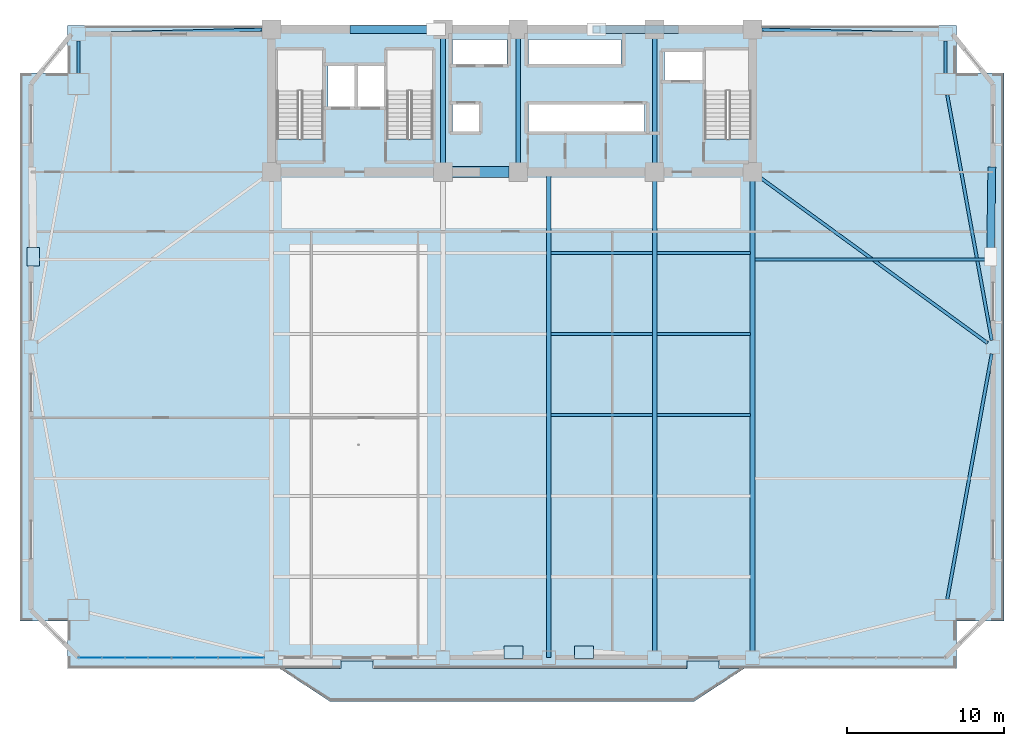
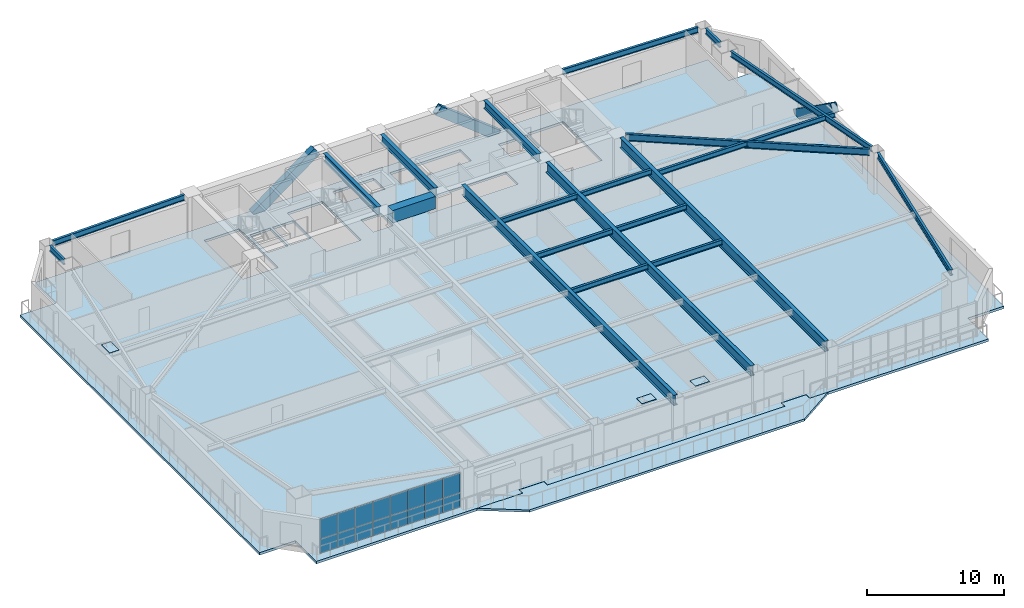
# One storey, part 6 of 15: 21 beams, 19 plates, 3 members, 2 slabs, 1 element without a shape of its own.
"""IFC4 building model written with IfcOpenShell, lengths in metres."""

from ifc_helpers import new_model, si_unit, direction, frame, origin, origin_2d, place, context, subcontext, project, spatial, polyline, rectangle, hollow_rectangle, i_section, outline, extrude, source, transform, mapped, material, layer, layer_set, material_profile, profile_set, type_object, element, aggregate, save


model = new_model("IFC4")

# Units and contexts
model_context = context("Model", 3, precision=1e-05, world=origin(), true_north=direction((0.0, 1.0)))
body_context = subcontext(model_context, "Body", "Model", "MODEL_VIEW")
ifc_project = project(units=[si_unit("LENGTHUNIT", "METRE"), si_unit("AREAUNIT", "SQUARE_METRE"), si_unit("VOLUMEUNIT", "CUBIC_METRE"), si_unit("PLANEANGLEUNIT", "RADIAN"), si_unit("MASSUNIT", "GRAM", prefix="KILO")], contexts=[model_context])

# Site, building, storey
site_placement = place(None, origin())
site = spatial("IfcSite", under=ifc_project, at=site_placement, CompositionType="ELEMENT")
building_placement = place(site_placement, origin())
building = spatial("IfcBuilding", under=site, at=building_placement, Name="Giltprow Tower", CompositionType="ELEMENT")
storey_placement = place(building_placement, frame((0.0, 0.0, 103.60009765625)))
storey = spatial("IfcBuildingStorey", under=building, at=storey_placement, Name="L25", CompositionType="ELEMENT", Elevation=103.60009765625)

# Beams
ifc_material_1 = material(Name="Concrete C60", Category="concrete")
ifc_material_profile_1 = material_profile(ifc_material_1, rectangle(XDim=0.699951171875, YDim=1.10009765625, at=origin_2d()), Name="RC 1100x700")
ifc_profile_set_1 = profile_set([ifc_material_profile_1], Name="Concrete C60")
beam_type_1 = type_object("IfcBeamType", Name="BM-CPL-RC1100", PredefinedType="LINTEL", material=ifc_profile_set_1)
shared_shape_1 = source(origin(), body_context, "Body", "SweptSolid", [
    extrude(rectangle(XDim=0.699951171875, YDim=1.10009765625, at=origin_2d()), origin(), (0.0, 0.0, 1.0), 3.6298828125),
])
beam_1_placement = place(storey_placement, frame((31.385009765625, 37.449951171875, 3.1298828125), z_axis=(1.0, 0.0, 0.0), x_axis=(0.0, 1.0, 0.0)))
element("IfcBeam", 1, at=beam_1_placement, inside=storey, type_object=beam_type_1, Name="L25 Core Coupling Beam CB-1", PredefinedType="LINTEL", context=body_context, shape_type="MappedRepresentation", body=[
    mapped(shared_shape_1, transform((0.0, 0.0, 0.0), x_axis=(1.0, 0.0, 0.0), y_axis=(0.0, 1.0, 0.0), z_axis=(0.0, 0.0, 1.0), scale=1.0)),
])
ifc_material_2 = material(Name="Structural steel Q355B", Category="steel")
ifc_material_profile_2 = material_profile(ifc_material_2, i_section(OverallWidth=0.300048828125, OverallDepth=0.699951171875, WebThickness=0.012939453125, FlangeThickness=0.02392578125, at=origin_2d()), Name="HN 700x300x13x24")
ifc_profile_set_2 = profile_set([ifc_material_profile_2], Name="Structural steel Q355B")
beam_type_2 = type_object("IfcBeamType", Name="BM-GIRD-HN700", PredefinedType="BEAM", material=ifc_profile_set_2)
shared_shape_2 = source(origin(), body_context, "Body", "SweptSolid", [
    extrude(i_section(OverallWidth=0.300048828125, OverallDepth=0.699951171875, WebThickness=0.012939453125, FlangeThickness=0.02392578125, at=origin_2d()), origin(), (0.0, 0.0, 1.0), 7.93017578125),
])
for number, where, z_axis, x_axis, name in (
    (2, (30.800048828125, 38.034912109375, 3.329833984375), (0.0, 1.0, 0.0), (-1.0, 0.0, 0.0), "L25 Core Tie Girder M1"),
    (3, (35.60009765625, 38.034912109375, 3.329833984375), (0.0, 1.0, 0.0), (-1.0, 0.0, 0.0), "L25 Core Tie Girder M2"),
    (4, (44.300048828125, 38.034912109375, 3.329833984375), (0.0, 1.0, 0.0), (-1.0, 0.0, 0.0), "L25 Core Tie Girder M3"),
):
    element("IfcBeam", number, at=place(storey_placement, frame(where, z_axis=z_axis, x_axis=x_axis)), inside=storey, type_object=beam_type_2, Name=name, PredefinedType="BEAM", context=body_context, shape_type="MappedRepresentation", body=[
        mapped(shared_shape_2, transform((0.0, 0.0, 0.0), x_axis=(1.0, 0.0, 0.0), y_axis=(0.0, 1.0, 0.0), z_axis=(0.0, 0.0, 1.0), scale=1.0)),
    ])
ifc_material_profile_3 = material_profile(ifc_material_2, i_section(OverallWidth=0.199951171875, OverallDepth=0.449951171875, WebThickness=0.009033203125, FlangeThickness=0.013916015625, at=origin_2d()), Name="HN 450x200x9x14")
ifc_profile_set_3 = profile_set([ifc_material_profile_3], Name="Structural steel Q355B")
beam_type_3 = type_object("IfcBeamType", Name="BM-JOIST-HN450", PredefinedType="JOIST", material=ifc_profile_set_3)
shared_shape_3 = source(origin(), body_context, "Body", "SweptSolid", [
    extrude(i_section(OverallWidth=0.199951171875, OverallDepth=0.449951171875, WebThickness=0.009033203125, FlangeThickness=0.013916015625, at=origin_2d()), origin(), (0.0, 0.0, 1.0), 6.4599609375),
])
for number, where, z_axis, x_axis, name in (
    (5, (37.695068359375, 21.9560546875, 3.454833984375), (1.0, 0.0, 0.0), (0.0, 1.0, 0.0), "L25 Composite Floor Joist 3-3"),
    (6, (37.695068359375, 27.12109375, 3.454833984375), (1.0, 0.0, 0.0), (0.0, 1.0, 0.0), "L25 Composite Floor Joist 4-3"),
    (7, (37.695068359375, 32.284912109375, 3.454833984375), (1.0, 0.0, 0.0), (0.0, 1.0, 0.0), "L25 Composite Floor Joist 5-3"),
):
    element("IfcBeam", number, at=place(storey_placement, frame(where, z_axis=z_axis, x_axis=x_axis)), inside=storey, type_object=beam_type_3, Name=name, PredefinedType="JOIST", context=body_context, shape_type="MappedRepresentation", body=[
        mapped(shared_shape_3, transform((0.0, 0.0, 0.0), x_axis=(1.0, 0.0, 0.0), y_axis=(0.0, 1.0, 0.0), z_axis=(0.0, 0.0, 1.0), scale=1.0)),
    ])
shared_shape_4 = source(origin(), body_context, "Body", "SweptSolid", [
    extrude(i_section(OverallWidth=0.199951171875, OverallDepth=0.449951171875, WebThickness=0.009033203125, FlangeThickness=0.013916015625, at=origin_2d()), origin(), (0.0, 0.0, 1.0), 5.9599609375),
])
for number, where, z_axis, x_axis, name in (
    (8, (44.445068359375, 21.9560546875, 3.454833984375), (1.0, 0.0, 0.0), (0.0, 1.0, 0.0), "L25 Composite Floor Joist 3-4"),
    (9, (44.445068359375, 27.12109375, 3.454833984375), (1.0, 0.0, 0.0), (0.0, 1.0, 0.0), "L25 Composite Floor Joist 4-4"),
    (10, (44.445068359375, 32.284912109375, 3.454833984375), (1.0, 0.0, 0.0), (0.0, 1.0, 0.0), "L25 Composite Floor Joist 5-4"),
):
    element("IfcBeam", number, at=place(storey_placement, frame(where, z_axis=z_axis, x_axis=x_axis)), inside=storey, type_object=beam_type_3, Name=name, PredefinedType="JOIST", context=body_context, shape_type="MappedRepresentation", body=[
        mapped(shared_shape_4, transform((0.0, 0.0, 0.0), x_axis=(1.0, 0.0, 0.0), y_axis=(0.0, 1.0, 0.0), z_axis=(0.0, 0.0, 1.0), scale=1.0)),
    ])
ifc_material_profile_4 = material_profile(ifc_material_2, i_section(OverallWidth=0.300048828125, OverallDepth=0.89990234375, WebThickness=0.01611328125, FlangeThickness=0.028076171875, at=origin_2d()), Name="HN 900x300x16x28")
ifc_profile_set_4 = profile_set([ifc_material_profile_4], Name="Structural steel Q355B")
beam_type_4 = type_object("IfcBeamType", Name="BM-GIRD-HN900", PredefinedType="BEAM", material=ifc_profile_set_4)
shared_shape_5 = source(origin(), body_context, "Body", "SweptSolid", [
    extrude(i_section(OverallWidth=0.300048828125, OverallDepth=0.89990234375, WebThickness=0.01611328125, FlangeThickness=0.028076171875, at=origin_2d()), origin(), (0.0, 0.0, 1.0), 30.988037109375),
])
beam_2_placement = place(storey_placement, frame((37.550048828125, 6.4619140625, 3.22998046875), z_axis=(0.0, 1.0, 0.0), x_axis=(-1.0, 0.0, 0.0)))
element("IfcBeam", 11, at=beam_2_placement, inside=storey, type_object=beam_type_4, Name="L25 Central Lease Girder SMID", PredefinedType="BEAM", context=body_context, shape_type="MappedRepresentation", body=[
    mapped(shared_shape_5, transform((0.0, 0.0, 0.0), x_axis=(1.0, 0.0, 0.0), y_axis=(0.0, 1.0, 0.0), z_axis=(0.0, 0.0, 1.0), scale=1.0)),
])
shared_shape_6 = source(origin(), body_context, "Body", "SweptSolid", [
    extrude(i_section(OverallWidth=0.199951171875, OverallDepth=0.449951171875, WebThickness=0.009033203125, FlangeThickness=0.013916015625, at=origin_2d()), origin(), (0.0, 0.0, 1.0), 14.975830078125),
])
beam_3_placement = place(storey_placement, frame((50.695068359375, 31.864990234375, 3.454833984375), z_axis=(1.0, 0.0, 0.0), x_axis=(0.0, 1.0, 0.0)))
element("IfcBeam", 12, at=beam_3_placement, inside=storey, type_object=beam_type_3, Name="L25 East Wing Floor Joist 2", PredefinedType="JOIST", context=body_context, shape_type="MappedRepresentation", body=[
    mapped(shared_shape_6, transform((0.0, 0.0, 0.0), x_axis=(1.0, 0.0, 0.0), y_axis=(0.0, 1.0, 0.0), z_axis=(0.0, 0.0, 1.0), scale=1.0)),
])
ifc_material_profile_5 = material_profile(ifc_material_2, i_section(OverallWidth=0.199951171875, OverallDepth=0.5, WebThickness=0.010009765625, FlangeThickness=0.01611328125, at=origin_2d()), Name="HN 500x200x10x16")
ifc_profile_set_5 = profile_set([ifc_material_profile_5], Name="Structural steel Q355B")
beam_type_5 = type_object("IfcBeamType", Name="BM-SPAN-HN500", PredefinedType="SPANDREL", material=ifc_profile_set_5)
shared_shape_7 = source(origin(), body_context, "Body", "SweptSolid", [
    extrude(i_section(OverallWidth=0.199951171875, OverallDepth=0.5, WebThickness=0.010009765625, FlangeThickness=0.01611328125, at=origin_2d()), origin(), (0.0, 0.0, 1.0), 15.928955078125),
])
beam_4_placement = place(storey_placement, frame((62.969970703125, 10.178955078125, 3.429931640625), z_axis=(0.178482140898, 0.983943151498, 0.0), x_axis=(-0.983943151498, 0.178482140898, 0.0)))
element("IfcBeam", 13, at=beam_4_placement, inside=storey, type_object=beam_type_5, Name="L25 Perimeter Spandrel Beam MC_SE-E_MID", PredefinedType="SPANDREL", context=body_context, shape_type="MappedRepresentation", body=[
    mapped(shared_shape_7, transform((0.0, 0.0, 0.0), x_axis=(1.0, 0.0, 0.0), y_axis=(0.0, 1.0, 0.0), z_axis=(0.0, 0.0, 1.0), scale=1.0)),
])
shared_shape_8 = source(origin(), body_context, "Body", "SweptSolid", [
    extrude(i_section(OverallWidth=0.199951171875, OverallDepth=0.5, WebThickness=0.010009765625, FlangeThickness=0.01611328125, at=origin_2d()), origin(), (0.0, 0.0, 1.0), 15.929931640625),
])
beam_5_placement = place(storey_placement, frame((65.81298828125, 26.7080078125, 3.429931640625), z_axis=(-0.1784713749, 0.983945104333, 0.0), x_axis=(-0.983945104333, -0.1784713749, 0.0)))
element("IfcBeam", 14, at=beam_5_placement, inside=storey, type_object=beam_type_5, Name="L25 Perimeter Spandrel Beam E_MID-MC_NE", PredefinedType="SPANDREL", context=body_context, shape_type="MappedRepresentation", body=[
    mapped(shared_shape_8, transform((0.0, 0.0, 0.0), x_axis=(1.0, 0.0, 0.0), y_axis=(0.0, 1.0, 0.0), z_axis=(0.0, 0.0, 1.0), scale=1.0)),
])
shared_shape_9 = source(origin(), body_context, "Body", "SweptSolid", [
    extrude(i_section(OverallWidth=0.199951171875, OverallDepth=0.5, WebThickness=0.010009765625, FlangeThickness=0.01611328125, at=origin_2d()), origin(), (0.0, 0.0, 1.0), 2.073974609375),
])
for number, where, z_axis, x_axis, name in (
    (15, (62.847900390625, 43.740966796875, 3.429931640625), (0.0, 1.0, 0.0), (-1.0, 0.0, 0.0), "L25 Perimeter Spandrel Beam MC_NE-N_E"),
    (16, (7.552978515625, 45.81494140625, 3.429931640625), (0.0, -1.0, 0.0), (1.0, 0.0, 0.0), "L25 Perimeter Spandrel Beam N_W-MC_NW"),
):
    element("IfcBeam", number, at=place(storey_placement, frame(where, z_axis=z_axis, x_axis=x_axis)), inside=storey, type_object=beam_type_5, Name=name, PredefinedType="SPANDREL", context=body_context, shape_type="MappedRepresentation", body=[
        mapped(shared_shape_9, transform((0.0, 0.0, 0.0), x_axis=(1.0, 0.0, 0.0), y_axis=(0.0, 1.0, 0.0), z_axis=(0.0, 0.0, 1.0), scale=1.0)),
    ])
shared_shape_10 = source(origin(), body_context, "Body", "SweptSolid", [
    extrude(i_section(OverallWidth=0.199951171875, OverallDepth=0.5, WebThickness=0.010009765625, FlangeThickness=0.01611328125, at=origin_2d()), origin(), (0.0, 0.0, 1.0), 11.2802734375),
])
beam_6_placement = place(storey_placement, frame((7.988037109375, 46.260986328125, 3.429931640625), z_axis=(0.999702999385, 0.024370330749, 0.0), x_axis=(-0.024370330749, 0.999702999385, 0.0)))
element("IfcBeam", 17, at=beam_6_placement, inside=storey, type_object=beam_type_5, Name="L25 North Wing Spandrel W", PredefinedType="SPANDREL", context=body_context, shape_type="MappedRepresentation", body=[
    mapped(shared_shape_10, transform((0.0, 0.0, 0.0), x_axis=(1.0, 0.0, 0.0), y_axis=(0.0, 1.0, 0.0), z_axis=(0.0, 0.0, 1.0), scale=1.0)),
])
shared_shape_11 = source(origin(), body_context, "Body", "SweptSolid", [
    extrude(i_section(OverallWidth=0.199951171875, OverallDepth=0.5, WebThickness=0.010009765625, FlangeThickness=0.01611328125, at=origin_2d()), origin(), (0.0, 0.0, 1.0), 11.281494140625),
])
beam_7_placement = place(storey_placement, frame((51.135009765625, 46.535888671875, 3.429931640625), z_axis=(0.999703063646, -0.024367694548, 0.0), x_axis=(0.024367694548, 0.999703063646, 0.0)))
element("IfcBeam", 18, at=beam_7_placement, inside=storey, type_object=beam_type_5, Name="L25 North Wing Spandrel E", PredefinedType="SPANDREL", context=body_context, shape_type="MappedRepresentation", body=[
    mapped(shared_shape_11, transform((0.0, 0.0, 0.0), x_axis=(1.0, 0.0, 0.0), y_axis=(0.0, 1.0, 0.0), z_axis=(0.0, 0.0, 1.0), scale=1.0)),
])
shared_shape_12 = source(origin(), body_context, "Body", "SweptSolid", [
    extrude(i_section(OverallWidth=0.300048828125, OverallDepth=0.89990234375, WebThickness=0.01611328125, FlangeThickness=0.028076171875, at=origin_2d()), origin(), (0.0, 0.0, 1.0), 29.968017578125),
])
for number, where, z_axis, x_axis, name in (
    (19, (44.300048828125, 6.89697265625, 3.22998046875), (0.0, 1.0, 0.0), (-1.0, 0.0, 0.0), "L25 Primary Lease Girder S3"),
    (20, (50.550048828125, 6.89697265625, 3.22998046875), (0.0, 1.0, 0.0), (-1.0, 0.0, 0.0), "L25 Primary Lease Girder S4"),
):
    element("IfcBeam", number, at=place(storey_placement, frame(where, z_axis=z_axis, x_axis=x_axis)), inside=storey, type_object=beam_type_4, Name=name, PredefinedType="BEAM", context=body_context, shape_type="MappedRepresentation", body=[
        mapped(shared_shape_12, transform((0.0, 0.0, 0.0), x_axis=(1.0, 0.0, 0.0), y_axis=(0.0, 1.0, 0.0), z_axis=(0.0, 0.0, 1.0), scale=1.0)),
    ])
ifc_material_profile_6 = material_profile(ifc_material_2, i_section(OverallWidth=0.199951171875, OverallDepth=0.60009765625, WebThickness=0.010986328125, FlangeThickness=0.01708984375, at=origin_2d()), Name="HN 600x200x11x17")
ifc_profile_set_6 = profile_set([ifc_material_profile_6], Name="Structural steel Q355B")
beam_type_6 = type_object("IfcBeamType", Name="BM-GIRD-HN600", PredefinedType="BEAM", material=ifc_profile_set_6)
shared_shape_13 = source(origin(), body_context, "Body", "SweptSolid", [
    extrude(i_section(OverallWidth=0.199951171875, OverallDepth=0.60009765625, WebThickness=0.010986328125, FlangeThickness=0.01708984375, at=origin_2d()), origin(), (0.0, 0.0, 1.0), 17.956787109375),
])
beam_8_placement = place(storey_placement, frame((65.5390625, 26.535888671875, 3.3798828125), z_axis=(-0.808394356168, 0.588641287132, 0.0), x_axis=(-0.588641287132, -0.808394356168, 0.0)))
element("IfcBeam", 21, at=beam_8_placement, inside=storey, type_object=beam_type_6, Name="L25 East Wing Primary Girder", PredefinedType="BEAM", context=body_context, shape_type="MappedRepresentation", body=[
    mapped(shared_shape_13, transform((0.0, 0.0, 0.0), x_axis=(1.0, 0.0, 0.0), y_axis=(0.0, 1.0, 0.0), z_axis=(0.0, 0.0, 1.0), scale=1.0)),
])

# Members
ifc_material_3 = material(Name="Structural steel Q420GJC", Category="steel")
ifc_material_profile_7 = material_profile(ifc_material_3, hollow_rectangle(XDim=0.5, YDim=0.800048828125, WallThickness=0.035888671875, at=origin_2d()), Name="RHS 800x500x36")
ifc_profile_set_7 = profile_set([ifc_material_profile_7], Name="Structural steel Q420GJC")
member_type = type_object("IfcMemberType", Name="MBR-MEGA-RHS800", PredefinedType="BRACE", material=ifc_profile_set_7)
shared_shape_14 = source(origin(), body_context, "Body", "SweptSolid", [
    extrude(hollow_rectangle(XDim=0.5, YDim=0.800048828125, WallThickness=0.035888671875, at=origin_2d()), origin(), (0.0, 0.0, 1.0), 6.5400390625),
])
member_1_placement = place(storey_placement, frame((25.10009765625, 46.550048828125, -0.14013671875), z_axis=(0.802733126154, 0.0, 0.596338434259), x_axis=(0.0, 1.0, 0.0)))
element("IfcMember", 22, at=member_1_placement, inside=storey, type_object=member_type, Name="L25 Chevron Mega-Brace N-L", PredefinedType="BRACE", context=body_context, shape_type="MappedRepresentation", body=[
    mapped(shared_shape_14, transform((0.0, 0.0, 0.0), x_axis=(1.0, 0.0, 0.0), y_axis=(0.0, 1.0, 0.0), z_axis=(0.0, 0.0, 1.0), scale=1.0)),
])
shared_shape_15 = source(origin(), body_context, "Body", "SweptSolid", [
    extrude(hollow_rectangle(XDim=0.5, YDim=0.800048828125, WallThickness=0.035888671875, at=origin_2d()), origin(), (0.0, 0.0, 1.0), 6.32861328125),
])
member_2_placement = place(storey_placement, frame((45.56689453125, 46.550048828125, -0.14013671875), z_axis=(-0.787526980349, 0.0, 0.616280175912), x_axis=(0.0, -1.0, 0.0)))
element("IfcMember", 23, at=member_2_placement, inside=storey, type_object=member_type, Name="L25 Chevron Mega-Brace N-R", PredefinedType="BRACE", context=body_context, shape_type="MappedRepresentation", body=[
    mapped(shared_shape_15, transform((0.0, 0.0, 0.0), x_axis=(1.0, 0.0, 0.0), y_axis=(0.0, 1.0, 0.0), z_axis=(0.0, 0.0, 1.0), scale=1.0)),
])
shared_shape_16 = source(origin(), body_context, "Body", "SweptSolid", [
    extrude(hollow_rectangle(XDim=0.5, YDim=0.800048828125, WallThickness=0.035888671875, at=origin_2d()), origin(), (0.0, 0.0, 1.0), 6.7451171875),
])
member_3_placement = place(storey_placement, frame((65.81298828125, 37.552001953125, 0.0), z_axis=(-0.011727088303, -0.815828920825, 0.578174409106), x_axis=(0.999896703667, -0.014372960603, 0.0)))
element("IfcMember", 24, at=member_3_placement, inside=storey, type_object=member_type, Name="L25 Chevron Mega-Brace E-R", PredefinedType="BRACE", context=body_context, shape_type="MappedRepresentation", body=[
    mapped(shared_shape_16, transform((0.0, 0.0, 0.0), x_axis=(1.0, 0.0, 0.0), y_axis=(0.0, 1.0, 0.0), z_axis=(0.0, 0.0, 1.0), scale=1.0)),
])

# Slabs
ifc_material_4 = material(Name="Concrete C40", Category="concrete")
ifc_layer_1 = layer(ifc_material_4, 0.199951171875, Name="Concrete C40")
ifc_layer_set_1 = layer_set([ifc_layer_1], Name="Concrete C40")
slab_type_1 = type_object("IfcSlabType", Name="SLB-BALC-BRONZE-200", PredefinedType="FLOOR", material=ifc_layer_set_1)
slab_1_placement = place(storey_placement, frame((0.0, 0.0, -0.2001953125)))
element("IfcSlab", 25, at=slab_1_placement, inside=storey, type_object=slab_type_1, Name="L25 Bronze Prow Waterfront Balcony Slab", PredefinedType="FLOOR", context=body_context, shape_type="SweptSolid", body=[
    extrude(outline(polyline([(50.0, 5.761962890625), (46.800048828125, 3.662109375), (23.60009765625, 3.662109375), (20.39990234375, 5.761962890625), (24.280029296875, 5.761962890625), (24.280029296875, 6.261962890625), (26.320068359375, 6.261962890625), (26.320068359375, 5.761962890625), (46.3798828125, 5.761962890625), (46.3798828125, 6.261962890625), (48.419921875, 6.261962890625), (48.419921875, 5.761962890625), (50.0, 5.761962890625)])), origin(), (0.0, 0.0, 1.0), 0.2001953125),
])
ifc_layer_2 = layer(ifc_material_4, 0.219970703125, Name="Concrete C40")
ifc_layer_set_2 = layer_set([ifc_layer_2], Name="Concrete C40")
slab_type_2 = type_object("IfcSlabType", Name="SLB-OFF-220", PredefinedType="FLOOR", material=ifc_layer_set_2)
slab_2_placement = place(storey_placement, frame((0.0, 0.0, -0.22021484375)))
element("IfcSlab", 26, at=slab_2_placement, inside=storey, type_object=slab_type_2, Name="L25 Structural Composite Floor Slab", PredefinedType="FLOOR", context=body_context, shape_type="SweptSolid", body=[
    extrude(outline(polyline([(6.85302734375, 5.761962890625), (6.85302734375, 8.804931640625), (3.81005859375, 8.804931640625), (3.81005859375, 43.756103515625), (6.85302734375, 43.756103515625), (6.85302734375, 46.799072265625), (63.548095703125, 46.799072265625), (63.548095703125, 43.756103515625), (66.591064453125, 43.756103515625), (66.591064453125, 8.804931640625), (63.548095703125, 8.804931640625), (63.548095703125, 5.761962890625), (48.449951171875, 5.761962890625), (48.449951171875, 6.281982421875), (46.35009765625, 6.281982421875), (46.35009765625, 5.761962890625), (26.35009765625, 5.761962890625), (26.35009765625, 6.281982421875), (24.25, 6.281982421875), (24.25, 5.761962890625), (6.85302734375, 5.761962890625)]), holes=[polyline([(33.10009765625, 41.800048828125), (31.419921875, 41.800048828125), (31.419921875, 40.0), (33.10009765625, 40.0), (33.10009765625, 41.800048828125)]), polyline([(23.159912109375, 39.570068359375), (23.159912109375, 45.25), (20.199951171875, 45.25), (20.199951171875, 39.570068359375), (23.159912109375, 39.570068359375)]), polyline([(30.159912109375, 45.25), (27.199951171875, 45.25), (27.199951171875, 39.570068359375), (30.159912109375, 39.570068359375), (30.159912109375, 45.25)]), polyline([(25.169921875, 41.60009765625), (25.169921875, 44.199951171875), (23.449951171875, 44.199951171875), (23.449951171875, 41.60009765625), (25.169921875, 41.60009765625)]), polyline([(27.10009765625, 41.60009765625), (27.10009765625, 44.199951171875), (25.35009765625, 44.199951171875), (25.35009765625, 41.60009765625), (27.10009765625, 41.60009765625)]), polyline([(43.659912109375, 40.0), (43.659912109375, 41.800048828125), (36.239990234375, 41.800048828125), (36.239990234375, 40.0), (43.659912109375, 40.0)]), polyline([(50.4599609375, 39.570068359375), (50.4599609375, 45.25), (47.5, 45.25), (47.5, 39.570068359375), (50.4599609375, 39.570068359375)]), polyline([(47.3798828125, 45.10009765625), (44.919921875, 45.10009765625), (44.919921875, 43.300048828125), (47.3798828125, 43.300048828125), (47.3798828125, 45.10009765625)]), polyline([(34.8798828125, 44.300048828125), (34.8798828125, 45.919921875), (31.419921875, 45.919921875), (31.419921875, 44.300048828125), (34.8798828125, 44.300048828125)]), polyline([(42.169921875, 44.300048828125), (42.169921875, 45.919921875), (36.239990234375, 45.919921875), (36.239990234375, 44.300048828125), (42.169921875, 44.300048828125)])]), origin(), (0.0, 0.0, 1.0), 0.22021484375),
])

# Plates
plate_type_1 = type_object("IfcPlateType", Name="PLT-CAP-SEAL", PredefinedType="USERDEFINED", material=ifc_material_3)
shared_shape_17 = source(origin(), body_context, "Body", "SweptSolid", [
    extrude(rectangle(XDim=1.199951171875, YDim=0.800048828125, at=origin_2d()), origin(), (0.0, 0.0, 1.0), 0.034912109375),
])
for number, where, z_axis, x_axis, name in (
    (27, (35.300048828125, 6.81396484375, 3.88232421875), (0.0, 0.0, 1.0), (1.0, 0.0, 0.0), "Mega-Brace Node L25-S-LB"),
    (28, (39.800048828125, 6.81396484375, 3.88232421875), (0.0, 0.0, 1.0), (1.0, 0.0, 0.0), "Mega-Brace Node L25-S-RB"),
    (29, (4.666015625, 32.049072265625, 3.88232421875), (0.0, 0.0, 1.0), (0.0, 1.0, 0.0), "Mega-Brace Node L25-W-RB"),
):
    element("IfcPlate", number, at=place(storey_placement, frame(where, z_axis=z_axis, x_axis=x_axis)), inside=storey, type_object=plate_type_1, Name=name, ObjectType="SPLICE", PredefinedType="USERDEFINED", context=body_context, shape_type="MappedRepresentation", body=[
        mapped(shared_shape_17, transform((0.0, 0.0, 0.0), x_axis=(1.0, 0.0, 0.0), y_axis=(0.0, 1.0, 0.0), z_axis=(0.0, 0.0, 1.0), scale=1.0)),
    ])

# Curtain wall, plates
ifc_material_5 = material(Name="Anodized bronze", Category="metal")
ifc_layer_3 = layer(ifc_material_5, 0.179931640625, Name="Anodized bronze")
ifc_layer_set_3 = layer_set([ifc_layer_3], Name="Anodized bronze")
curtain_wall_type = type_object("IfcCurtainWallType", Name="CW-OFF-RECESSED", PredefinedType="NOTDEFINED", material=ifc_layer_set_3)
curtain_wall_placement = place(storey_placement, origin())
curtain_wall = element("IfcCurtainWall", 30, at=curtain_wall_placement, inside=storey, type_object=curtain_wall_type, Name="L25 South Recessed Curtain Wall 1", PredefinedType="NOTDEFINED")
ifc_material_6 = material(Name="Insulated glass", Category="glass")
plate_type_2 = type_object("IfcPlateType", Name="CW-PANEL-IGU-28", PredefinedType="CURTAIN_PANEL", material=ifc_material_6)
shared_shape_18 = source(origin(), body_context, "Body", "SweptSolid", [
    extrude(rectangle(XDim=1.450927734375, YDim=0.028076171875, at=origin_2d()), origin(), (0.0, 0.0, 1.0), 1.259033203125),
])
plate_1_placement = place(storey_placement, frame((8.29296875, 6.4619140625, 0.05419921875), z_axis=(0.0, 0.0, 1.0), x_axis=(1.0, 0.0, 0.0)))
plate_1 = element("IfcPlate", 31, at=plate_1_placement, type_object=plate_type_2, Name="L25 South Recessed Curtain Wall 1 Glazing Panel 1-1", PredefinedType="CURTAIN_PANEL", context=body_context, shape_type="MappedRepresentation", body=[
    mapped(shared_shape_18, transform((0.0, 0.0, 0.0), x_axis=(1.0, 0.0, 0.0), y_axis=(0.0, 1.0, 0.0), z_axis=(0.0, 0.0, 1.0), scale=1.0)),
])
plate_2_placement = place(storey_placement, frame((9.77392578125, 6.4619140625, 0.05419921875), z_axis=(0.0, 0.0, 1.0), x_axis=(1.0, 0.0, 0.0)))
plate_2 = element("IfcPlate", 32, at=plate_2_placement, type_object=plate_type_2, Name="L25 South Recessed Curtain Wall 1 Glazing Panel 2-1", PredefinedType="CURTAIN_PANEL", context=body_context, shape_type="MappedRepresentation", body=[
    mapped(shared_shape_18, transform((0.0, 0.0, 0.0), x_axis=(1.0, 0.0, 0.0), y_axis=(0.0, 1.0, 0.0), z_axis=(0.0, 0.0, 1.0), scale=1.0)),
])
plate_3_placement = place(storey_placement, frame((11.2548828125, 6.4619140625, 0.05419921875), z_axis=(0.0, 0.0, 1.0), x_axis=(1.0, 0.0, 0.0)))
plate_3 = element("IfcPlate", 33, at=plate_3_placement, type_object=plate_type_2, Name="L25 South Recessed Curtain Wall 1 Glazing Panel 3-1", PredefinedType="CURTAIN_PANEL", context=body_context, shape_type="MappedRepresentation", body=[
    mapped(shared_shape_18, transform((0.0, 0.0, 0.0), x_axis=(1.0, 0.0, 0.0), y_axis=(0.0, 1.0, 0.0), z_axis=(0.0, 0.0, 1.0), scale=1.0)),
])
plate_4_placement = place(storey_placement, frame((12.736083984375, 6.4619140625, 0.05419921875), z_axis=(0.0, 0.0, 1.0), x_axis=(1.0, 0.0, 0.0)))
plate_4 = element("IfcPlate", 34, at=plate_4_placement, type_object=plate_type_2, Name="L25 South Recessed Curtain Wall 1 Glazing Panel 4-1", PredefinedType="CURTAIN_PANEL", context=body_context, shape_type="MappedRepresentation", body=[
    mapped(shared_shape_18, transform((0.0, 0.0, 0.0), x_axis=(1.0, 0.0, 0.0), y_axis=(0.0, 1.0, 0.0), z_axis=(0.0, 0.0, 1.0), scale=1.0)),
])
plate_5_placement = place(storey_placement, frame((14.217041015625, 6.4619140625, 0.05419921875), z_axis=(0.0, 0.0, 1.0), x_axis=(1.0, 0.0, 0.0)))
plate_5 = element("IfcPlate", 35, at=plate_5_placement, type_object=plate_type_2, Name="L25 South Recessed Curtain Wall 1 Glazing Panel 5-1", PredefinedType="CURTAIN_PANEL", context=body_context, shape_type="MappedRepresentation", body=[
    mapped(shared_shape_18, transform((0.0, 0.0, 0.0), x_axis=(1.0, 0.0, 0.0), y_axis=(0.0, 1.0, 0.0), z_axis=(0.0, 0.0, 1.0), scale=1.0)),
])
plate_6_placement = place(storey_placement, frame((15.697998046875, 6.4619140625, 0.05419921875), z_axis=(0.0, 0.0, 1.0), x_axis=(1.0, 0.0, 0.0)))
plate_6 = element("IfcPlate", 36, at=plate_6_placement, type_object=plate_type_2, Name="L25 South Recessed Curtain Wall 1 Glazing Panel 6-1", PredefinedType="CURTAIN_PANEL", context=body_context, shape_type="MappedRepresentation", body=[
    mapped(shared_shape_18, transform((0.0, 0.0, 0.0), x_axis=(1.0, 0.0, 0.0), y_axis=(0.0, 1.0, 0.0), z_axis=(0.0, 0.0, 1.0), scale=1.0)),
])
plate_7_placement = place(storey_placement, frame((17.178955078125, 6.4619140625, 0.05419921875), z_axis=(0.0, 0.0, 1.0), x_axis=(1.0, 0.0, 0.0)))
plate_7 = element("IfcPlate", 37, at=plate_7_placement, type_object=plate_type_2, Name="L25 South Recessed Curtain Wall 1 Glazing Panel 7-1", PredefinedType="CURTAIN_PANEL", context=body_context, shape_type="MappedRepresentation", body=[
    mapped(shared_shape_18, transform((0.0, 0.0, 0.0), x_axis=(1.0, 0.0, 0.0), y_axis=(0.0, 1.0, 0.0), z_axis=(0.0, 0.0, 1.0), scale=1.0)),
])
plate_8_placement = place(storey_placement, frame((18.659912109375, 6.4619140625, 0.05419921875), z_axis=(0.0, 0.0, 1.0), x_axis=(1.0, 0.0, 0.0)))
plate_8 = element("IfcPlate", 38, at=plate_8_placement, type_object=plate_type_2, Name="L25 South Recessed Curtain Wall 1 Glazing Panel 8-1", PredefinedType="CURTAIN_PANEL", context=body_context, shape_type="MappedRepresentation", body=[
    mapped(shared_shape_18, transform((0.0, 0.0, 0.0), x_axis=(1.0, 0.0, 0.0), y_axis=(0.0, 1.0, 0.0), z_axis=(0.0, 0.0, 1.0), scale=1.0)),
])
shared_shape_19 = source(origin(), body_context, "Body", "SweptSolid", [
    extrude(rectangle(XDim=1.450927734375, YDim=0.028076171875, at=origin_2d()), origin(), (0.0, 0.0, 1.0), 1.764892578125),
])
plate_9_placement = place(storey_placement, frame((8.29296875, 6.4619140625, 1.34033203125), z_axis=(0.0, 0.0, 1.0), x_axis=(1.0, 0.0, 0.0)))
plate_9 = element("IfcPlate", 39, at=plate_9_placement, type_object=plate_type_2, Name="L25 South Recessed Curtain Wall 1 Glazing Panel 1-2", PredefinedType="CURTAIN_PANEL", context=body_context, shape_type="MappedRepresentation", body=[
    mapped(shared_shape_19, transform((0.0, 0.0, 0.0), x_axis=(1.0, 0.0, 0.0), y_axis=(0.0, 1.0, 0.0), z_axis=(0.0, 0.0, 1.0), scale=1.0)),
])
plate_10_placement = place(storey_placement, frame((9.77392578125, 6.4619140625, 1.34033203125), z_axis=(0.0, 0.0, 1.0), x_axis=(1.0, 0.0, 0.0)))
plate_10 = element("IfcPlate", 40, at=plate_10_placement, type_object=plate_type_2, Name="L25 South Recessed Curtain Wall 1 Glazing Panel 2-2", PredefinedType="CURTAIN_PANEL", context=body_context, shape_type="MappedRepresentation", body=[
    mapped(shared_shape_19, transform((0.0, 0.0, 0.0), x_axis=(1.0, 0.0, 0.0), y_axis=(0.0, 1.0, 0.0), z_axis=(0.0, 0.0, 1.0), scale=1.0)),
])
plate_11_placement = place(storey_placement, frame((11.2548828125, 6.4619140625, 1.34033203125), z_axis=(0.0, 0.0, 1.0), x_axis=(1.0, 0.0, 0.0)))
plate_11 = element("IfcPlate", 41, at=plate_11_placement, type_object=plate_type_2, Name="L25 South Recessed Curtain Wall 1 Glazing Panel 3-2", PredefinedType="CURTAIN_PANEL", context=body_context, shape_type="MappedRepresentation", body=[
    mapped(shared_shape_19, transform((0.0, 0.0, 0.0), x_axis=(1.0, 0.0, 0.0), y_axis=(0.0, 1.0, 0.0), z_axis=(0.0, 0.0, 1.0), scale=1.0)),
])
plate_12_placement = place(storey_placement, frame((12.736083984375, 6.4619140625, 1.34033203125), z_axis=(0.0, 0.0, 1.0), x_axis=(1.0, 0.0, 0.0)))
plate_12 = element("IfcPlate", 42, at=plate_12_placement, type_object=plate_type_2, Name="L25 South Recessed Curtain Wall 1 Glazing Panel 4-2", PredefinedType="CURTAIN_PANEL", context=body_context, shape_type="MappedRepresentation", body=[
    mapped(shared_shape_19, transform((0.0, 0.0, 0.0), x_axis=(1.0, 0.0, 0.0), y_axis=(0.0, 1.0, 0.0), z_axis=(0.0, 0.0, 1.0), scale=1.0)),
])
plate_13_placement = place(storey_placement, frame((14.217041015625, 6.4619140625, 1.34033203125), z_axis=(0.0, 0.0, 1.0), x_axis=(1.0, 0.0, 0.0)))
plate_13 = element("IfcPlate", 43, at=plate_13_placement, type_object=plate_type_2, Name="L25 South Recessed Curtain Wall 1 Glazing Panel 5-2", PredefinedType="CURTAIN_PANEL", context=body_context, shape_type="MappedRepresentation", body=[
    mapped(shared_shape_19, transform((0.0, 0.0, 0.0), x_axis=(1.0, 0.0, 0.0), y_axis=(0.0, 1.0, 0.0), z_axis=(0.0, 0.0, 1.0), scale=1.0)),
])
plate_14_placement = place(storey_placement, frame((15.697998046875, 6.4619140625, 1.34033203125), z_axis=(0.0, 0.0, 1.0), x_axis=(1.0, 0.0, 0.0)))
plate_14 = element("IfcPlate", 44, at=plate_14_placement, type_object=plate_type_2, Name="L25 South Recessed Curtain Wall 1 Glazing Panel 6-2", PredefinedType="CURTAIN_PANEL", context=body_context, shape_type="MappedRepresentation", body=[
    mapped(shared_shape_19, transform((0.0, 0.0, 0.0), x_axis=(1.0, 0.0, 0.0), y_axis=(0.0, 1.0, 0.0), z_axis=(0.0, 0.0, 1.0), scale=1.0)),
])
plate_15_placement = place(storey_placement, frame((17.178955078125, 6.4619140625, 1.34033203125), z_axis=(0.0, 0.0, 1.0), x_axis=(1.0, 0.0, 0.0)))
plate_15 = element("IfcPlate", 45, at=plate_15_placement, type_object=plate_type_2, Name="L25 South Recessed Curtain Wall 1 Glazing Panel 7-2", PredefinedType="CURTAIN_PANEL", context=body_context, shape_type="MappedRepresentation", body=[
    mapped(shared_shape_19, transform((0.0, 0.0, 0.0), x_axis=(1.0, 0.0, 0.0), y_axis=(0.0, 1.0, 0.0), z_axis=(0.0, 0.0, 1.0), scale=1.0)),
])
plate_16_placement = place(storey_placement, frame((18.659912109375, 6.4619140625, 1.34033203125), z_axis=(0.0, 0.0, 1.0), x_axis=(1.0, 0.0, 0.0)))
plate_16 = element("IfcPlate", 46, at=plate_16_placement, type_object=plate_type_2, Name="L25 South Recessed Curtain Wall 1 Glazing Panel 8-2", PredefinedType="CURTAIN_PANEL", context=body_context, shape_type="MappedRepresentation", body=[
    mapped(shared_shape_19, transform((0.0, 0.0, 0.0), x_axis=(1.0, 0.0, 0.0), y_axis=(0.0, 1.0, 0.0), z_axis=(0.0, 0.0, 1.0), scale=1.0)),
])
aggregate(curtain_wall, [plate_1, plate_9, plate_2, plate_10, plate_3, plate_11, plate_4, plate_12, plate_5, plate_13, plate_6, plate_14, plate_7, plate_15, plate_8, plate_16])

save(model, "model.ifc")
